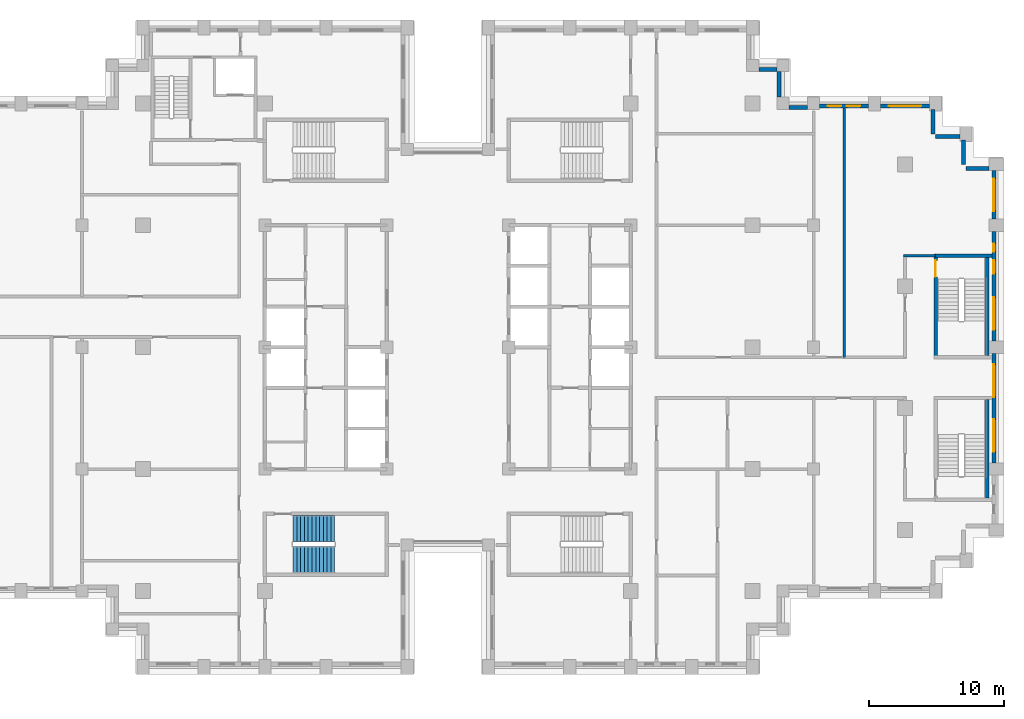
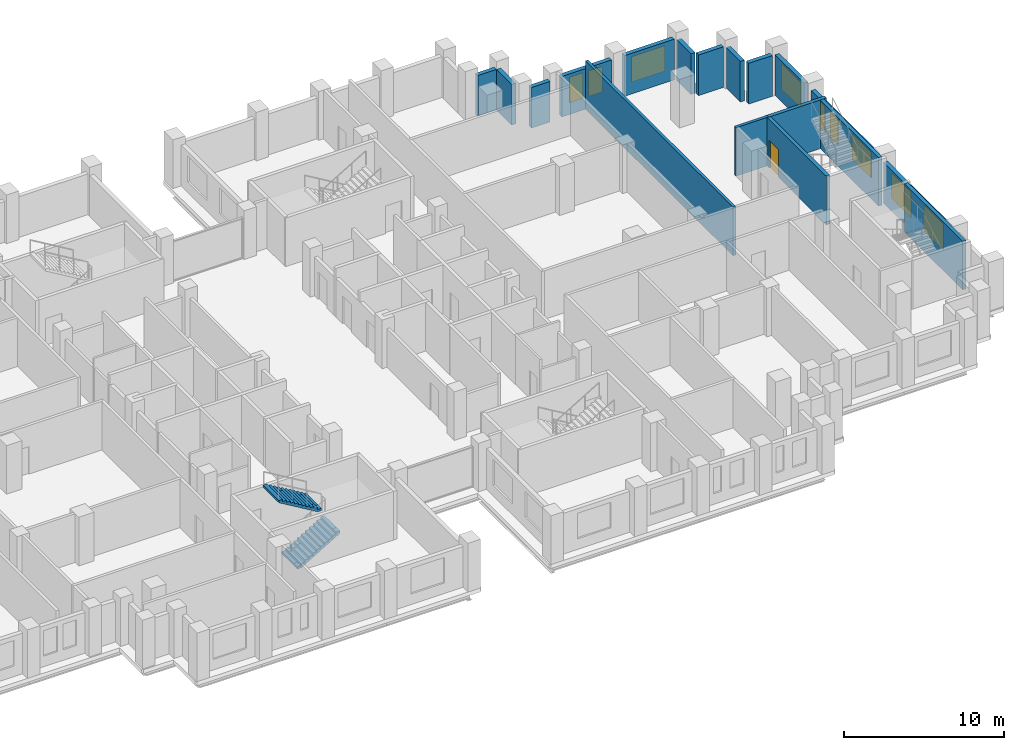
# One storey, part 12 of 15: 18 walls, 9 windows, 2 stair flights, 1 door, 10 openings, 1 element without a shape of its own.
"""IFC4 building model written with IfcOpenShell, lengths in metres."""

from ifc_helpers import new_model, si_unit, direction, frame, frame_2d, origin, place, context, subcontext, project, spatial, polyline, rectangle, outline, extrude, material, layer, layer_set, type_object, element, fill, aggregate, save


model = new_model("IFC4")

# Units and contexts
model_context = context("Model", 3, precision=1e-05, world=origin(), true_north=direction((0.0, 1.0)))
body_context = subcontext(model_context, "Body", "Model", "MODEL_VIEW")
ifc_project = project(units=[si_unit("LENGTHUNIT", "METRE"), si_unit("AREAUNIT", "SQUARE_METRE"), si_unit("VOLUMEUNIT", "CUBIC_METRE"), si_unit("PLANEANGLEUNIT", "RADIAN"), si_unit("MASSUNIT", "GRAM", prefix="KILO")], contexts=[model_context])

# Site, building, storey
site_placement = place(None, origin())
site = spatial("IfcSite", under=ifc_project, at=site_placement, CompositionType="ELEMENT")
building_placement = place(site_placement, origin())
building = spatial("IfcBuilding", under=site, at=building_placement, Name="Corbelhall Arena Tower", CompositionType="ELEMENT")
storey_placement = place(building_placement, frame((0.0, 0.0, 142.0)))
storey = spatial("IfcBuildingStorey", under=building, at=storey_placement, Name="L27", CompositionType="ELEMENT", Elevation=142.0)

# Walls
ifc_material_1 = material(Name="Precast concrete C40/50 with granite facing", Category="masonry")
ifc_layer_1 = layer(ifc_material_1, 0.300048828125)
ifc_layer_set_1 = layer_set([ifc_layer_1], Name="EV-IW1 Infill panel 300")
wall_type_1 = type_object("IfcWallType", Name="EV-IW1 Infill panel 300", PredefinedType="SOLIDWALL", material=ifc_layer_set_1)
wall_1_placement = place(storey_placement, frame((39.949951171875, 13.199951171875, 0.0), z_axis=(0.0, 0.0, 1.0), x_axis=(-1.0, 0.0, 0.0)))
element("IfcWall", 1, at=wall_1_placement, inside=storey, type_object=wall_type_1, Name="Infill panel IW1", PredefinedType="SOLIDWALL", context=body_context, shape_type="SweptSolid", body=[
    extrude(rectangle(XDim=1.699951171875, YDim=0.300048828125, at=frame_2d((0.85009765625, 0.0))), origin(), (0.0, 0.0, 1.0), 3.10009765625),
])
for number, where, z_axis, x_axis, name in (
    (2, (38.050048828125, 15.300048828125, 0.0), (0.0, 0.0, 1.0), (0.0, -1.0, 0.0), "Infill panel IW1"),
    (3, (37.800048828125, 15.550048828125, 0.0), (0.0, 0.0, 1.0), (-1.0, 0.0, 0.0), "Infill panel IW1"),
    (4, (35.800048828125, 17.550048828125, 0.0), (0.0, 0.0, 1.0), (0.0, -1.0, 0.0), "Infill panel IW1"),
):
    element("IfcWall", number, at=place(storey_placement, frame(where, z_axis=z_axis, x_axis=x_axis)), inside=storey, type_object=wall_type_1, Name=name, PredefinedType="SOLIDWALL", context=body_context, shape_type="SweptSolid", body=[
        extrude(rectangle(XDim=1.800048828125, YDim=0.300048828125, at=frame_2d((0.89990234375, 0.0))), origin(), (0.0, 0.0, 1.0), 3.10009765625),
    ])

# Wall, openings, windows
wall_2_placement = place(storey_placement, frame((40.300048828125, -8.550048828125, 0.0), z_axis=(0.0, 0.0, 1.0), x_axis=(0.0, 1.0, 0.0)))
wall_2 = element("IfcWall", 5, at=wall_2_placement, inside=storey, type_object=wall_type_1, Name="Infill panel IW1", PredefinedType="SOLIDWALL", context=body_context, shape_type="SweptSolid", body=[
    extrude(rectangle(XDim=8.10009765625, YDim=0.300048828125, at=frame_2d((4.050048828125, 0.0))), origin(), (0.0, 0.0, 1.0), 3.10009765625),
])
opening_1_placement = place(wall_2_placement, frame((0.824951171875, 0.0, 0.800048828125)))
opening_1 = element("IfcOpeningElement", 6, at=opening_1_placement, cuts=wall_2, Name="Opening WN1", PredefinedType="OPENING", context=body_context, shape_type="SweptSolid", body=[
    extrude(rectangle(XDim=2.39990234375, YDim=1.949951171875, at=frame_2d((1.199951171875, 0.97509765625))), frame((0.0, 0.14990234375, 0.0), z_axis=(0.0, -1.0, 0.0), x_axis=(1.0, 0.0, 0.0)), (0.0, 0.0, 1.0), 0.300048828125),
])
opening_2_placement = place(wall_2_placement, frame((4.875, 0.0, 0.800048828125)))
opening_2 = element("IfcOpeningElement", 7, at=opening_2_placement, cuts=wall_2, Name="Opening WN1", PredefinedType="OPENING", context=body_context, shape_type="SweptSolid", body=[
    extrude(rectangle(XDim=2.39990234375, YDim=1.949951171875, at=frame_2d((1.199951171875, 0.97509765625))), frame((0.0, 0.14990234375, 0.0), z_axis=(0.0, -1.0, 0.0), x_axis=(1.0, 0.0, 0.0)), (0.0, 0.0, 1.0), 0.300048828125),
])
ifc_material_2 = material(Name="Aluminium black anodised", Category="aluminium")
window_type_1 = type_object("IfcWindowType", Name="EV-WN1 Office window", PartitioningType="SINGLE_PANEL", PredefinedType="WINDOW", material=ifc_material_2)
window_1_placement = place(opening_1_placement, origin())
window_1 = element("IfcWindow", 8, at=window_1_placement, inside=storey, type_object=window_type_1, Name="Window WN1", OverallHeight=1.949951171875, OverallWidth=2.39990234375, PartitioningType="SINGLE_PANEL", PredefinedType="WINDOW", context=body_context, shape_type="SweptSolid", body=[
    extrude(rectangle(XDim=2.39990234375, YDim=1.949951171875, at=frame_2d((1.199951171875, 0.97509765625))), frame((0.0, 0.030029296875, 0.0), z_axis=(0.0, -1.0, 0.0), x_axis=(1.0, 0.0, 0.0)), (0.0, 0.0, 1.0), 0.06005859375),
])
fill(opening_1, window_1)
window_2_placement = place(opening_2_placement, origin())
window_2 = element("IfcWindow", 9, at=window_2_placement, inside=storey, type_object=window_type_1, Name="Window WN1", OverallHeight=1.949951171875, OverallWidth=2.39990234375, PartitioningType="SINGLE_PANEL", PredefinedType="WINDOW", context=body_context, shape_type="SweptSolid", body=[
    extrude(rectangle(XDim=2.39990234375, YDim=1.949951171875, at=frame_2d((1.199951171875, 0.97509765625))), frame((0.0, 0.030029296875, 0.0), z_axis=(0.0, -1.0, 0.0), x_axis=(1.0, 0.0, 0.0)), (0.0, 0.0, 1.0), 0.06005859375),
])
fill(opening_2, window_2)

wall_3_placement = place(storey_placement, frame((40.300048828125, 0.449951171875, 0.0), z_axis=(0.0, 0.0, 1.0), x_axis=(0.0, 1.0, 0.0)))
wall_3 = element("IfcWall", 10, at=wall_3_placement, inside=storey, type_object=wall_type_1, Name="Infill panel IW1", PredefinedType="SOLIDWALL", context=body_context, shape_type="SweptSolid", body=[
    extrude(rectangle(XDim=8.10009765625, YDim=0.300048828125, at=frame_2d((4.050048828125, 0.0))), origin(), (0.0, 0.0, 1.0), 3.10009765625),
])
opening_3_placement = place(wall_3_placement, frame((0.824951171875, 0.0, 0.800048828125)))
opening_3 = element("IfcOpeningElement", 11, at=opening_3_placement, cuts=wall_3, Name="Opening WN1", PredefinedType="OPENING", context=body_context, shape_type="SweptSolid", body=[
    extrude(rectangle(XDim=2.39990234375, YDim=1.949951171875, at=frame_2d((1.199951171875, 0.97509765625))), frame((0.0, 0.14990234375, 0.0), z_axis=(0.0, -1.0, 0.0), x_axis=(1.0, 0.0, 0.0)), (0.0, 0.0, 1.0), 0.300048828125),
])
opening_4_placement = place(wall_3_placement, frame((4.97509765625, 0.0, 0.800048828125)))
opening_4 = element("IfcOpeningElement", 12, at=opening_4_placement, cuts=wall_3, Name="Opening WN6", PredefinedType="OPENING", context=body_context, shape_type="SweptSolid", body=[
    extrude(rectangle(XDim=1.0, YDim=1.949951171875, at=frame_2d((0.5, 0.97509765625))), frame((0.0, 0.14990234375, 0.0), z_axis=(0.0, -1.0, 0.0), x_axis=(1.0, 0.0, 0.0)), (0.0, 0.0, 1.0), 0.300048828125),
])
opening_5_placement = place(wall_3_placement, frame((6.60009765625, 0.0, 0.800048828125)))
opening_5 = element("IfcOpeningElement", 13, at=opening_5_placement, cuts=wall_3, Name="Opening WN5", PredefinedType="OPENING", context=body_context, shape_type="SweptSolid", body=[
    extrude(rectangle(XDim=0.60009765625, YDim=1.949951171875, at=frame_2d((0.300048828125, 0.97509765625))), frame((0.0, 0.14990234375, 0.0), z_axis=(0.0, -1.0, 0.0), x_axis=(1.0, 0.0, 0.0)), (0.0, 0.0, 1.0), 0.300048828125),
])
window_3_placement = place(opening_3_placement, origin())
window_3 = element("IfcWindow", 14, at=window_3_placement, inside=storey, type_object=window_type_1, Name="Window WN1", OverallHeight=1.949951171875, OverallWidth=2.39990234375, PartitioningType="SINGLE_PANEL", PredefinedType="WINDOW", context=body_context, shape_type="SweptSolid", body=[
    extrude(rectangle(XDim=2.39990234375, YDim=1.949951171875, at=frame_2d((1.199951171875, 0.97509765625))), frame((0.0, 0.030029296875, 0.0), z_axis=(0.0, -1.0, 0.0), x_axis=(1.0, 0.0, 0.0)), (0.0, 0.0, 1.0), 0.06005859375),
])
fill(opening_3, window_3)
window_type_2 = type_object("IfcWindowType", Name="EV-WN5 Office window 600", PartitioningType="SINGLE_PANEL", PredefinedType="WINDOW", material=ifc_material_2)
window_4_placement = place(opening_5_placement, origin())
window_4 = element("IfcWindow", 15, at=window_4_placement, inside=storey, type_object=window_type_2, Name="Window WN5", OverallHeight=1.949951171875, OverallWidth=0.60009765625, PartitioningType="SINGLE_PANEL", PredefinedType="WINDOW", context=body_context, shape_type="SweptSolid", body=[
    extrude(rectangle(XDim=0.60009765625, YDim=1.949951171875, at=frame_2d((0.300048828125, 0.97509765625))), frame((0.0, 0.030029296875, 0.0), z_axis=(0.0, -1.0, 0.0), x_axis=(1.0, 0.0, 0.0)), (0.0, 0.0, 1.0), 0.06005859375),
])
fill(opening_5, window_4)
window_type_3 = type_object("IfcWindowType", Name="EV-WN6 Office window 1000", PartitioningType="SINGLE_PANEL", PredefinedType="WINDOW", material=ifc_material_2)
window_5_placement = place(opening_4_placement, origin())
window_5 = element("IfcWindow", 16, at=window_5_placement, inside=storey, type_object=window_type_3, Name="Window WN6", OverallHeight=1.949951171875, OverallWidth=1.0, PartitioningType="SINGLE_PANEL", PredefinedType="WINDOW", context=body_context, shape_type="SweptSolid", body=[
    extrude(rectangle(XDim=1.0, YDim=1.949951171875, at=frame_2d((0.5, 0.97509765625))), frame((0.0, 0.030029296875, 0.0), z_axis=(0.0, -1.0, 0.0), x_axis=(1.0, 0.0, 0.0)), (0.0, 0.0, 1.0), 0.06005859375),
])
fill(opening_4, window_5)

# Wall, opening, window
wall_4_placement = place(storey_placement, frame((40.300048828125, 9.449951171875, 0.0), z_axis=(0.0, 0.0, 1.0), x_axis=(0.0, 1.0, 0.0)))
wall_4 = element("IfcWall", 17, at=wall_4_placement, inside=storey, type_object=wall_type_1, Name="Infill panel IW1", PredefinedType="SOLIDWALL", context=body_context, shape_type="SweptSolid", body=[
    extrude(rectangle(XDim=3.60009765625, YDim=0.300048828125, at=frame_2d((1.800048828125, 0.0))), origin(), (0.0, 0.0, 1.0), 3.10009765625),
])
opening_6_placement = place(wall_4_placement, frame((0.60009765625, 0.0, 0.800048828125)))
opening_6 = element("IfcOpeningElement", 18, at=opening_6_placement, cuts=wall_4, Name="Opening WN1", PredefinedType="OPENING", context=body_context, shape_type="SweptSolid", body=[
    extrude(rectangle(XDim=2.39990234375, YDim=1.949951171875, at=frame_2d((1.199951171875, 0.97509765625))), frame((0.0, 0.14990234375, 0.0), z_axis=(0.0, -1.0, 0.0), x_axis=(1.0, 0.0, 0.0)), (0.0, 0.0, 1.0), 0.300048828125),
])
window_6_placement = place(opening_6_placement, origin())
window_6 = element("IfcWindow", 19, at=window_6_placement, inside=storey, type_object=window_type_1, Name="Window WN1", OverallHeight=1.949951171875, OverallWidth=2.39990234375, PartitioningType="SINGLE_PANEL", PredefinedType="WINDOW", context=body_context, shape_type="SweptSolid", body=[
    extrude(rectangle(XDim=2.39990234375, YDim=1.949951171875, at=frame_2d((1.199951171875, 0.97509765625))), frame((0.0, 0.030029296875, 0.0), z_axis=(0.0, -1.0, 0.0), x_axis=(1.0, 0.0, 0.0)), (0.0, 0.0, 1.0), 0.06005859375),
])
fill(opening_6, window_6)

wall_5_placement = place(storey_placement, frame((35.550048828125, 17.800048828125, 0.0), z_axis=(0.0, 0.0, 1.0), x_axis=(-1.0, 0.0, 0.0)))
wall_5 = element("IfcWall", 20, at=wall_5_placement, inside=storey, type_object=wall_type_1, Name="Infill panel IW1", PredefinedType="SOLIDWALL", context=body_context, shape_type="SweptSolid", body=[
    extrude(rectangle(XDim=3.60009765625, YDim=0.300048828125, at=frame_2d((1.800048828125, 0.0))), origin(), (0.0, 0.0, 1.0), 3.10009765625),
])
opening_7_placement = place(wall_5_placement, frame((0.60009765625, 0.0, 0.800048828125)))
opening_7 = element("IfcOpeningElement", 21, at=opening_7_placement, cuts=wall_5, Name="Opening WN1", PredefinedType="OPENING", context=body_context, shape_type="SweptSolid", body=[
    extrude(rectangle(XDim=2.39990234375, YDim=1.949951171875, at=frame_2d((1.199951171875, 0.97509765625))), frame((0.0, 0.14990234375, 0.0), z_axis=(0.0, -1.0, 0.0), x_axis=(1.0, 0.0, 0.0)), (0.0, 0.0, 1.0), 0.300048828125),
])
window_7_placement = place(opening_7_placement, origin())
window_7 = element("IfcWindow", 22, at=window_7_placement, inside=storey, type_object=window_type_1, Name="Window WN1", OverallHeight=1.949951171875, OverallWidth=2.39990234375, PartitioningType="SINGLE_PANEL", PredefinedType="WINDOW", context=body_context, shape_type="SweptSolid", body=[
    extrude(rectangle(XDim=2.39990234375, YDim=1.949951171875, at=frame_2d((1.199951171875, 0.97509765625))), frame((0.0, 0.030029296875, 0.0), z_axis=(0.0, -1.0, 0.0), x_axis=(1.0, 0.0, 0.0)), (0.0, 0.0, 1.0), 0.06005859375),
])
fill(opening_7, window_7)

# Wall, openings, windows
wall_6_placement = place(storey_placement, frame((31.050048828125, 17.800048828125, 0.0), z_axis=(0.0, 0.0, 1.0), x_axis=(-1.0, 0.0, 0.0)))
wall_6 = element("IfcWall", 23, at=wall_6_placement, inside=storey, type_object=wall_type_1, Name="Infill panel IW1", PredefinedType="SOLIDWALL", context=body_context, shape_type="SweptSolid", body=[
    extrude(rectangle(XDim=3.60009765625, YDim=0.300048828125, at=frame_2d((1.800048828125, 0.0))), origin(), (0.0, 0.0, 1.0), 3.10009765625),
])
opening_8_placement = place(wall_6_placement, frame((0.60009765625, 0.0, 0.800048828125)))
opening_8 = element("IfcOpeningElement", 24, at=opening_8_placement, cuts=wall_6, Name="Opening WN6", PredefinedType="OPENING", context=body_context, shape_type="SweptSolid", body=[
    extrude(rectangle(XDim=1.0, YDim=1.949951171875, at=frame_2d((0.5, 0.97509765625))), frame((0.0, 0.14990234375, 0.0), z_axis=(0.0, -1.0, 0.0), x_axis=(1.0, 0.0, 0.0)), (0.0, 0.0, 1.0), 0.300048828125),
])
opening_9_placement = place(wall_6_placement, frame((2.0, 0.0, 0.800048828125)))
opening_9 = element("IfcOpeningElement", 25, at=opening_9_placement, cuts=wall_6, Name="Opening WN6", PredefinedType="OPENING", context=body_context, shape_type="SweptSolid", body=[
    extrude(rectangle(XDim=1.0, YDim=1.949951171875, at=frame_2d((0.5, 0.97509765625))), frame((0.0, 0.14990234375, 0.0), z_axis=(0.0, -1.0, 0.0), x_axis=(1.0, 0.0, 0.0)), (0.0, 0.0, 1.0), 0.300048828125),
])
window_8_placement = place(opening_8_placement, origin())
window_8 = element("IfcWindow", 26, at=window_8_placement, inside=storey, type_object=window_type_3, Name="Window WN6", OverallHeight=1.949951171875, OverallWidth=1.0, PartitioningType="SINGLE_PANEL", PredefinedType="WINDOW", context=body_context, shape_type="SweptSolid", body=[
    extrude(rectangle(XDim=1.0, YDim=1.949951171875, at=frame_2d((0.5, 0.97509765625))), frame((0.0, 0.030029296875, 0.0), z_axis=(0.0, -1.0, 0.0), x_axis=(1.0, 0.0, 0.0)), (0.0, 0.0, 1.0), 0.06005859375),
])
fill(opening_8, window_8)
window_9_placement = place(opening_9_placement, origin())
window_9 = element("IfcWindow", 27, at=window_9_placement, inside=storey, type_object=window_type_3, Name="Window WN6", OverallHeight=1.949951171875, OverallWidth=1.0, PartitioningType="SINGLE_PANEL", PredefinedType="WINDOW", context=body_context, shape_type="SweptSolid", body=[
    extrude(rectangle(XDim=1.0, YDim=1.949951171875, at=frame_2d((0.5, 0.97509765625))), frame((0.0, 0.030029296875, 0.0), z_axis=(0.0, -1.0, 0.0), x_axis=(1.0, 0.0, 0.0)), (0.0, 0.0, 1.0), 0.06005859375),
])
fill(opening_9, window_9)

# Walls
wall_7_placement = place(storey_placement, frame((26.550048828125, 17.699951171875, 0.0), z_axis=(0.0, 0.0, 1.0), x_axis=(-1.0, 0.0, 0.0)))
element("IfcWall", 28, at=wall_7_placement, inside=storey, type_object=wall_type_1, Name="Infill panel IW1", PredefinedType="SOLIDWALL", context=body_context, shape_type="SweptSolid", body=[
    extrude(rectangle(XDim=1.35009765625, YDim=0.300048828125, at=frame_2d((0.675048828125, 0.0))), origin(), (0.0, 0.0, 1.0), 3.10009765625),
])
wall_8_placement = place(storey_placement, frame((24.449951171875, 18.449951171875, 0.0), z_axis=(0.0, 0.0, 1.0), x_axis=(0.0, 1.0, 0.0)))
element("IfcWall", 29, at=wall_8_placement, inside=storey, type_object=wall_type_1, Name="Infill panel IW1", PredefinedType="SOLIDWALL", context=body_context, shape_type="SweptSolid", body=[
    extrude(rectangle(XDim=1.900146484375, YDim=0.300048828125, at=frame_2d((0.9501953125, 0.0))), origin(), (0.0, 0.0, 1.0), 3.10009765625),
])
wall_9_placement = place(storey_placement, frame((24.300048828125, 20.5, 0.0), z_axis=(0.0, 0.0, 1.0), x_axis=(-1.0, 0.0, 0.0)))
element("IfcWall", 30, at=wall_9_placement, inside=storey, type_object=wall_type_1, Name="Infill panel IW1", PredefinedType="SOLIDWALL", context=body_context, shape_type="SweptSolid", body=[
    extrude(rectangle(XDim=1.35009765625, YDim=0.300048828125, at=frame_2d((0.675048828125, 0.0))), origin(), (0.0, 0.0, 1.0), 3.10009765625),
])
ifc_material_3 = material(Name="Gypsum board on steel stud, acoustic", Category="steel")
ifc_layer_2 = layer(ifc_material_3, 0.199951171875)
ifc_layer_set_2 = layer_set([ifc_layer_2], Name="IN-W-DM200")
wall_type_2 = type_object("IfcWallType", Name="IN-W-DM200", PredefinedType="PARTITIONING", material=ifc_layer_set_2)
wall_10_placement = place(storey_placement, frame((29.25, 17.64990234375, 0.0), z_axis=(0.0, 0.0, 1.0), x_axis=(0.0, -1.0, 0.0)))
element("IfcWall", 31, at=wall_10_placement, inside=storey, type_object=wall_type_2, Name="Partition 040", PredefinedType="PARTITIONING", context=body_context, shape_type="SweptSolid", body=[
    extrude(rectangle(XDim=18.39990234375, YDim=0.199951171875, at=frame_2d((9.199951171875, 0.0))), origin(), (0.0, 0.0, 1.0), 3.699951171875),
])
wall_11_placement = place(storey_placement, frame((33.64990234375, 6.75, 0.0), z_axis=(0.0, 0.0, 1.0), x_axis=(1.0, 0.0, 0.0)))
element("IfcWall", 32, at=wall_11_placement, inside=storey, type_object=wall_type_2, Name="Partition 042", PredefinedType="PARTITIONING", context=body_context, shape_type="SweptSolid", body=[
    extrude(rectangle(XDim=2.35009765625, YDim=0.199951171875, at=frame_2d((1.175048828125, 0.0))), origin(), (0.0, 0.0, 1.0), 3.699951171875),
])

# Wall, opening, door
ifc_material_4 = material(Name="Concrete C40/50", Category="concrete")
ifc_layer_3 = layer(ifc_material_4, 0.25)
ifc_layer_set_3 = layer_set([ifc_layer_3], Name="IN-W-ST250")
wall_type_3 = type_object("IfcWallType", Name="IN-W-ST250", PredefinedType="SOLIDWALL", material=ifc_layer_set_3)
wall_12_placement = place(storey_placement, frame((36.0, -0.75, 0.0), z_axis=(0.0, 0.0, 1.0), x_axis=(0.0, 1.0, 0.0)))
wall_12 = element("IfcWall", 33, at=wall_12_placement, inside=storey, type_object=wall_type_3, Name="Shaft wall 107", PredefinedType="SOLIDWALL", context=body_context, shape_type="SweptSolid", body=[
    extrude(rectangle(XDim=7.625, YDim=0.25, at=frame_2d((3.8125, 0.0))), origin(), (0.0, 0.0, 1.0), 3.699951171875),
])
opening_10_placement = place(wall_12_placement, frame((5.949951171875, 0.0, 0.0)))
opening_10 = element("IfcOpeningElement", 34, at=opening_10_placement, cuts=wall_12, Name="Opening 07021", PredefinedType="OPENING", context=body_context, shape_type="SweptSolid", body=[
    extrude(rectangle(XDim=1.199951171875, YDim=2.10009765625, at=frame_2d((0.60009765625, 1.050048828125))), frame((0.0, 0.125, 0.0), z_axis=(0.0, -1.0, 0.0), x_axis=(1.0, 0.0, 0.0)), (0.0, 0.0, 1.0), 0.25),
])
ifc_material_5 = material(Name="Steel door set", Category="steel")
door_type = type_object("IfcDoorType", Name="IN-D-ST120", OperationType="NOTDEFINED", PredefinedType="DOOR", material=ifc_material_5)
door_placement = place(opening_10_placement, origin())
door = element("IfcDoor", 35, at=door_placement, inside=storey, type_object=door_type, Name="Door 021", OperationType="SINGLE_SWING_RIGHT", OverallHeight=2.10009765625, OverallWidth=1.199951171875, PredefinedType="DOOR", context=body_context, shape_type="SweptSolid", body=[
    extrude(rectangle(XDim=1.199951171875, YDim=2.10009765625, at=frame_2d((0.60009765625, 1.050048828125))), frame((0.0, 0.02490234375, 0.0), z_axis=(0.0, -1.0, 0.0), x_axis=(1.0, 0.0, 0.0)), (0.0, 0.0, 1.0), 0.050048828125),
])
fill(opening_10, door)

# Walls
wall_13_placement = place(storey_placement, frame((36.0, 6.75, 0.0), z_axis=(0.0, 0.0, 1.0), x_axis=(1.0, 0.0, 0.0)))
element("IfcWall", 36, at=wall_13_placement, inside=storey, type_object=wall_type_3, Name="Shaft wall 108", PredefinedType="SOLIDWALL", context=body_context, shape_type="SweptSolid", body=[
    extrude(rectangle(XDim=4.14990234375, YDim=0.25, at=frame_2d((2.074951171875, 0.0))), origin(), (0.0, 0.0, 1.0), 3.699951171875),
])
for number, where, z_axis, x_axis, name in (
    (37, (39.824951171875, -11.125, 0.0), (0.0, 0.0, 1.0), (0.0, 1.0, 0.0), "Shaft wall SD1 facade side"),
    (38, (39.824951171875, -0.625, 0.0), (0.0, 0.0, 1.0), (0.0, 1.0, 0.0), "Shaft wall SD2 facade side"),
):
    element("IfcWall", number, at=place(storey_placement, frame(where, z_axis=z_axis, x_axis=x_axis)), inside=storey, type_object=wall_type_3, Name=name, PredefinedType="SOLIDWALL", context=body_context, shape_type="SweptSolid", body=[
        extrude(rectangle(XDim=7.25, YDim=0.25, at=frame_2d((3.625, 0.0))), origin(), (0.0, 0.0, 1.0), 3.699951171875),
    ])

# Stair, stair flights
stair_type = type_object("IfcStairType", Name="IN-ST-TOWER", PredefinedType="HALF_TURN_STAIR", material=ifc_material_4)
stair_placement = place(storey_placement, origin())
stair = element("IfcStair", 39, at=stair_placement, inside=storey, type_object=stair_type, Name="L27 Exit stair ST2", PredefinedType="HALF_TURN_STAIR")
stair_flight_type = type_object("IfcStairFlightType", Name="IN-SFL-RC", PredefinedType="STRAIGHT", material=ifc_material_4)
stair_flight_1_placement = place(storey_placement, frame((-11.425048828125, -15.699951171875, 0.0), z_axis=(0.0, 0.0, 1.0), x_axis=(1.0, 0.0, 0.0)))
stair_flight_1 = element("IfcStairFlight", 40, at=stair_flight_1_placement, type_object=stair_flight_type, Name="ST2 flight 1", NumberOfRisers=12, NumberOfTreads=11, PredefinedType="STRAIGHT", RiserHeight=0.166666667, TreadLength=0.28, context=body_context, shape_type="SweptSolid", body=[
    extrude(outline(polyline([(0.0, 0.0), (0.0, 0.166748046875), (0.280029296875, 0.166748046875), (0.280029296875, 0.333251953125), (0.56005859375, 0.333251953125), (0.56005859375, 0.5), (0.840087890625, 0.5), (0.840087890625, 0.666748046875), (1.1201171875, 0.666748046875), (1.1201171875, 0.833251953125), (1.39990234375, 0.833251953125), (1.39990234375, 1.0), (1.679931640625, 1.0), (1.679931640625, 1.166748046875), (1.9599609375, 1.166748046875), (1.9599609375, 1.333251953125), (2.239990234375, 1.333251953125), (2.239990234375, 1.5), (2.52001953125, 1.5), (2.52001953125, 1.666748046875), (2.800048828125, 1.666748046875), (2.800048828125, 1.833251953125), (3.080078125, 1.833251953125), (3.080078125, 2.0), (3.080078125, 1.658935546875), (0.29296875, 0.0), (0.0, 0.0)])), frame((0.0, 0.97509765625, 0.0), z_axis=(0.0, -1.0, 0.0), x_axis=(1.0, 0.0, 0.0)), (0.0, 0.0, 1.0), 0.449951171875),
    extrude(outline(polyline([(0.0, 0.0), (0.0, 0.166748046875), (0.280029296875, 0.166748046875), (0.280029296875, 0.333251953125), (0.56005859375, 0.333251953125), (0.56005859375, 0.5), (0.840087890625, 0.5), (0.840087890625, 0.666748046875), (1.1201171875, 0.666748046875), (1.1201171875, 0.833251953125), (1.39990234375, 0.833251953125), (1.39990234375, 1.0), (1.679931640625, 1.0), (1.679931640625, 1.166748046875), (1.9599609375, 1.166748046875), (1.9599609375, 1.333251953125), (2.239990234375, 1.333251953125), (2.239990234375, 1.5), (2.52001953125, 1.5), (2.52001953125, 1.666748046875), (2.800048828125, 1.666748046875), (2.800048828125, 1.833251953125), (3.080078125, 1.833251953125), (3.080078125, 2.0), (3.080078125, 1.658935546875), (0.29296875, 0.0), (0.0, 0.0)])), frame((0.0, 0.52099609375, 0.0), z_axis=(0.0, -1.0, 0.0), x_axis=(1.0, 0.0, 0.0)), (0.0, 0.0, 1.0), 1.0419921875),
    extrude(outline(polyline([(0.0, 0.0), (0.0, 0.166748046875), (0.280029296875, 0.166748046875), (0.280029296875, 0.333251953125), (0.56005859375, 0.333251953125), (0.56005859375, 0.5), (0.840087890625, 0.5), (0.840087890625, 0.666748046875), (1.1201171875, 0.666748046875), (1.1201171875, 0.833251953125), (1.39990234375, 0.833251953125), (1.39990234375, 1.0), (1.679931640625, 1.0), (1.679931640625, 1.166748046875), (1.9599609375, 1.166748046875), (1.9599609375, 1.333251953125), (2.239990234375, 1.333251953125), (2.239990234375, 1.5), (2.52001953125, 1.5), (2.52001953125, 1.666748046875), (2.800048828125, 1.666748046875), (2.800048828125, 1.833251953125), (3.080078125, 1.833251953125), (3.080078125, 2.0), (3.080078125, 1.658935546875), (0.29296875, 0.0), (0.0, 0.0)])), frame((0.0, -0.52490234375, 0.0), z_axis=(0.0, -1.0, 0.0), x_axis=(1.0, 0.0, 0.0)), (0.0, 0.0, 1.0), 0.449951171875),
])
stair_flight_2_placement = place(storey_placement, frame((-8.344970703125, -13.39990234375, 2.0), z_axis=(0.0, 0.0, 1.0), x_axis=(-1.0, 0.0, 0.0)))
stair_flight_2 = element("IfcStairFlight", 41, at=stair_flight_2_placement, type_object=stair_flight_type, Name="ST2 flight 2", NumberOfRisers=12, NumberOfTreads=11, PredefinedType="STRAIGHT", RiserHeight=0.166666667, TreadLength=0.28, context=body_context, shape_type="SweptSolid", body=[
    extrude(outline(polyline([(0.0, 0.0), (0.0, 0.166748046875), (0.280029296875, 0.166748046875), (0.280029296875, 0.333251953125), (0.56005859375, 0.333251953125), (0.56005859375, 0.5), (0.840087890625, 0.5), (0.840087890625, 0.666748046875), (1.1201171875, 0.666748046875), (1.1201171875, 0.833251953125), (1.39990234375, 0.833251953125), (1.39990234375, 1.0), (1.679931640625, 1.0), (1.679931640625, 1.166748046875), (1.9599609375, 1.166748046875), (1.9599609375, 1.333251953125), (2.239990234375, 1.333251953125), (2.239990234375, 1.5), (2.52001953125, 1.5), (2.52001953125, 1.666748046875), (2.800048828125, 1.666748046875), (2.800048828125, 1.833251953125), (3.080078125, 1.833251953125), (3.080078125, 2.0), (3.080078125, 1.658935546875), (0.29296875, 0.0), (0.0, 0.0)])), frame((0.0, 0.97509765625, 0.0), z_axis=(0.0, -1.0, 0.0), x_axis=(1.0, 0.0, 0.0)), (0.0, 0.0, 1.0), 0.449951171875),
    extrude(outline(polyline([(0.0, 0.0), (0.0, 0.166748046875), (0.280029296875, 0.166748046875), (0.280029296875, 0.333251953125), (0.56005859375, 0.333251953125), (0.56005859375, 0.5), (0.840087890625, 0.5), (0.840087890625, 0.666748046875), (1.1201171875, 0.666748046875), (1.1201171875, 0.833251953125), (1.39990234375, 0.833251953125), (1.39990234375, 1.0), (1.679931640625, 1.0), (1.679931640625, 1.166748046875), (1.9599609375, 1.166748046875), (1.9599609375, 1.333251953125), (2.239990234375, 1.333251953125), (2.239990234375, 1.5), (2.52001953125, 1.5), (2.52001953125, 1.666748046875), (2.800048828125, 1.666748046875), (2.800048828125, 1.833251953125), (3.080078125, 1.833251953125), (3.080078125, 2.0), (3.080078125, 1.658935546875), (0.29296875, 0.0), (0.0, 0.0)])), frame((0.0, 0.52099609375, 0.0), z_axis=(0.0, -1.0, 0.0), x_axis=(1.0, 0.0, 0.0)), (0.0, 0.0, 1.0), 1.0419921875),
    extrude(outline(polyline([(0.0, 0.0), (0.0, 0.166748046875), (0.280029296875, 0.166748046875), (0.280029296875, 0.333251953125), (0.56005859375, 0.333251953125), (0.56005859375, 0.5), (0.840087890625, 0.5), (0.840087890625, 0.666748046875), (1.1201171875, 0.666748046875), (1.1201171875, 0.833251953125), (1.39990234375, 0.833251953125), (1.39990234375, 1.0), (1.679931640625, 1.0), (1.679931640625, 1.166748046875), (1.9599609375, 1.166748046875), (1.9599609375, 1.333251953125), (2.239990234375, 1.333251953125), (2.239990234375, 1.5), (2.52001953125, 1.5), (2.52001953125, 1.666748046875), (2.800048828125, 1.666748046875), (2.800048828125, 1.833251953125), (3.080078125, 1.833251953125), (3.080078125, 2.0), (3.080078125, 1.658935546875), (0.29296875, 0.0), (0.0, 0.0)])), frame((0.0, -0.52490234375, 0.0), z_axis=(0.0, -1.0, 0.0), x_axis=(1.0, 0.0, 0.0)), (0.0, 0.0, 1.0), 0.449951171875),
])
aggregate(stair, [stair_flight_1, stair_flight_2])

save(model, "model.ifc")
